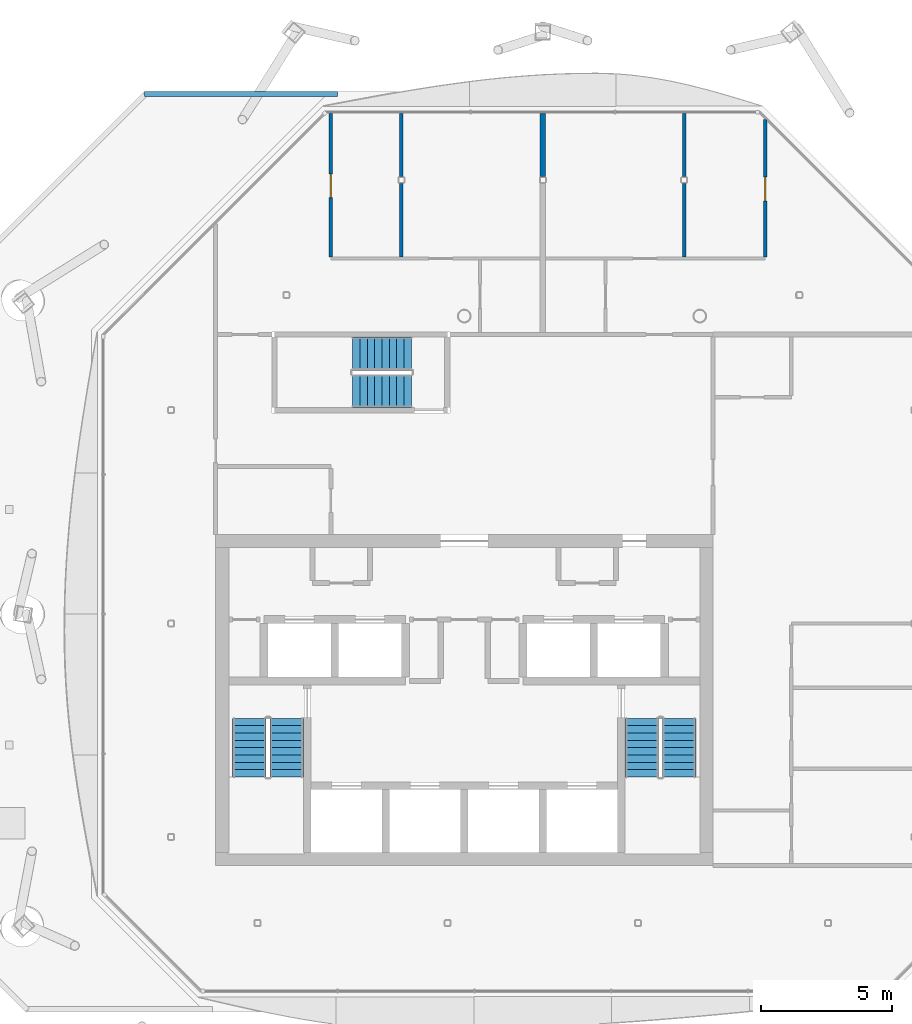
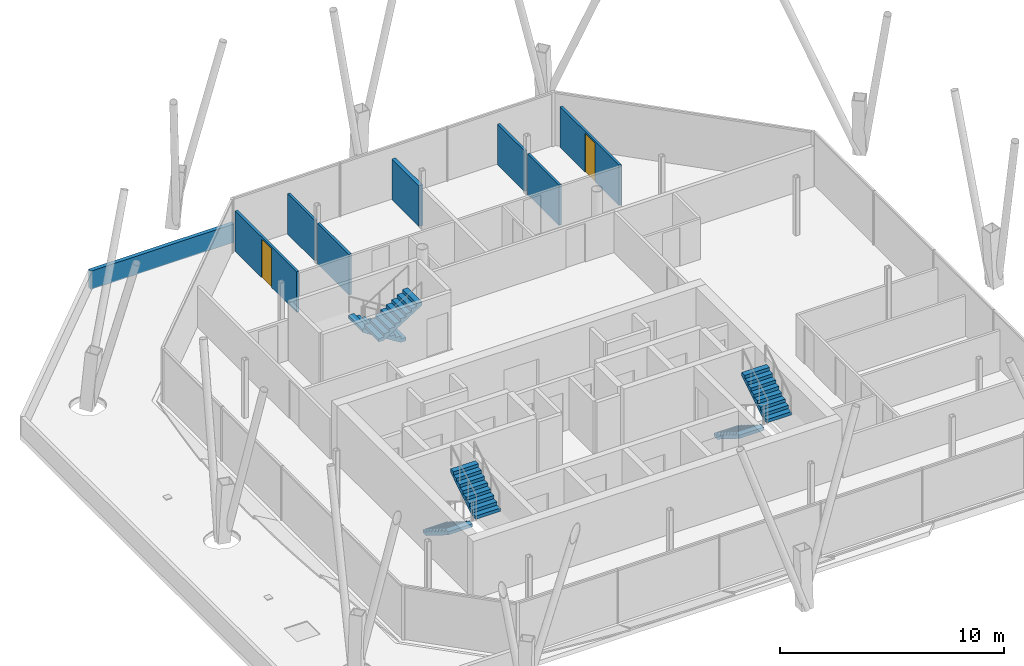
# One storey, part 12 of 17: 8 walls, 6 stair flights, 2 doors, 2 openings, 3 elements without a shape of their own.
"""IFC4 building model written with IfcOpenShell, lengths in metres."""

from ifc_helpers import new_model, si_unit, direction, frame, frame_2d, origin, place, context, subcontext, project, spatial, polyline, rectangle, outline, extrude, material, layer, layer_set, type_object, element, fill, aggregate, save


model = new_model("IFC4")

# Units and contexts
model_context = context("Model", 3, precision=1e-05, world=origin(), true_north=direction((0.0, 1.0)))
body_context = subcontext(model_context, "Body", "Model", "MODEL_VIEW")
ifc_project = project(units=[si_unit("LENGTHUNIT", "METRE"), si_unit("AREAUNIT", "SQUARE_METRE"), si_unit("VOLUMEUNIT", "CUBIC_METRE"), si_unit("PLANEANGLEUNIT", "RADIAN"), si_unit("MASSUNIT", "GRAM", prefix="KILO")], contexts=[model_context])

# Site, building, storey
site_placement = place(None, origin())
site = spatial("IfcSite", under=ifc_project, at=site_placement, CompositionType="ELEMENT")
building_placement = place(site_placement, origin())
building = spatial("IfcBuilding", under=site, at=building_placement, Name="Tskaro Facet Tower", CompositionType="ELEMENT")
storey_placement = place(building_placement, frame((0.0, 0.0, 259.5)))
storey = spatial("IfcBuildingStorey", under=building, at=storey_placement, Name="L68", CompositionType="ELEMENT", Elevation=259.5)

# Wall, opening, door
ifc_material_1 = material(Name="Gypsum board on steel studs", Category="steel")
ifc_layer_1 = layer(ifc_material_1, 0.125, Name="Gypsum board on steel studs")
ifc_layer_set_1 = layer_set([ifc_layer_1], Name="Gypsum board on steel studs")
wall_type_1 = type_object("IfcWallType", Name="PART", PredefinedType="PARTITIONING", material=ifc_layer_set_1)
wall_1_placement = place(storey_placement, frame((-5.10009765625, 16.742919921875, 0.0), z_axis=(0.0, 0.0, 1.0), x_axis=(0.0, -1.0, 0.0)))
wall_1 = element("IfcWall", 1, at=wall_1_placement, inside=storey, type_object=wall_type_1, Name="Partition W033", PredefinedType="PARTITIONING", context=body_context, shape_type="SweptSolid", body=[
    extrude(rectangle(XDim=5.48046875, YDim=0.125, at=frame_2d((2.740234375, 0.0))), origin(), (0.0, 0.0, 1.0), 2.2099609375),
])
opening_1_placement = place(wall_1_placement, frame((2.321533203125, 0.0, 0.0)))
opening_1 = element("IfcOpeningElement", 2, at=opening_1_placement, cuts=wall_1, Name="Opening T20-D24", PredefinedType="OPENING", context=body_context, shape_type="SweptSolid", body=[
    extrude(rectangle(XDim=0.89990234375, YDim=2.10009765625, at=frame_2d((0.449951171875, 1.050048828125))), frame((0.0, 0.072509765625, 0.0), z_axis=(0.0, -1.0, 0.0), x_axis=(1.0, 0.0, 0.0)), (0.0, 0.0, 1.0), 0.14501953125),
])
ifc_material_2 = material(Name="Timber", Category="wood")
door_type = type_object("IfcDoorType", Name="D-ROOM", OperationType="NOTDEFINED", PredefinedType="DOOR", material=ifc_material_2)
door_1_placement = place(opening_1_placement, origin())
door_1 = element("IfcDoor", 3, at=door_1_placement, inside=storey, type_object=door_type, Name="Door T20-D24", OperationType="SINGLE_SWING_RIGHT", OverallHeight=2.10009765625, OverallWidth=0.89990234375, PredefinedType="DOOR", context=body_context, shape_type="SweptSolid", body=[
    extrude(rectangle(XDim=0.89990234375, YDim=2.10009765625, at=frame_2d((0.449951171875, 1.050048828125))), frame((0.0, 0.02490234375, 0.0), z_axis=(0.0, -1.0, 0.0), x_axis=(1.0, 0.0, 0.0)), (0.0, 0.0, 1.0), 0.050048828125),
])
fill(opening_1, door_1)

# Walls
wall_2_placement = place(storey_placement, frame((-2.405029296875, 11.262451171875, 0.0), z_axis=(0.0, 0.0, 1.0), x_axis=(0.0, 1.0, 0.0)))
element("IfcWall", 4, at=wall_2_placement, inside=storey, type_object=wall_type_1, Name="Partition W037", PredefinedType="PARTITIONING", context=body_context, shape_type="SweptSolid", body=[
    extrude(rectangle(XDim=2.8125, YDim=0.125, at=frame_2d((1.40625, 0.0))), origin(), (0.0, 0.0, 1.0), 2.2099609375),
])
wall_3_placement = place(storey_placement, frame((-2.405029296875, 14.324951171875, 0.0), z_axis=(0.0, 0.0, 1.0), x_axis=(0.0, 1.0, 0.0)))
element("IfcWall", 5, at=wall_3_placement, inside=storey, type_object=wall_type_1, Name="Partition W038", PredefinedType="PARTITIONING", context=body_context, shape_type="SweptSolid", body=[
    extrude(rectangle(XDim=2.41796875, YDim=0.125, at=frame_2d((1.208984375, 0.0))), origin(), (0.0, 0.0, 1.0), 2.2099609375),
])
wall_4_placement = place(storey_placement, frame((8.405029296875, 11.262451171875, 0.0), z_axis=(0.0, 0.0, 1.0), x_axis=(0.0, 1.0, 0.0)))
element("IfcWall", 6, at=wall_4_placement, inside=storey, type_object=wall_type_1, Name="Partition W055", PredefinedType="PARTITIONING", context=body_context, shape_type="SweptSolid", body=[
    extrude(rectangle(XDim=2.8125, YDim=0.125, at=frame_2d((1.40625, 0.0))), origin(), (0.0, 0.0, 1.0), 2.2099609375),
])
wall_5_placement = place(storey_placement, frame((8.405029296875, 14.324951171875, 0.0), z_axis=(0.0, 0.0, 1.0), x_axis=(0.0, 1.0, 0.0)))
element("IfcWall", 7, at=wall_5_placement, inside=storey, type_object=wall_type_1, Name="Partition W056", PredefinedType="PARTITIONING", context=body_context, shape_type="SweptSolid", body=[
    extrude(rectangle(XDim=2.41796875, YDim=0.125, at=frame_2d((1.208984375, 0.0))), origin(), (0.0, 0.0, 1.0), 2.2099609375),
])

# Wall, opening, door
wall_6_placement = place(storey_placement, frame((11.5, 11.262451171875, 0.0), z_axis=(0.0, 0.0, 1.0), x_axis=(0.0, 1.0, 0.0)))
wall_6 = element("IfcWall", 8, at=wall_6_placement, inside=storey, type_object=wall_type_1, Name="Partition W058", PredefinedType="PARTITIONING", context=body_context, shape_type="SweptSolid", body=[
    extrude(rectangle(XDim=5.24755859375, YDim=0.125, at=frame_2d((2.623779296875, 0.0))), origin(), (0.0, 0.0, 1.0), 2.2099609375),
])
opening_2_placement = place(wall_6_placement, frame((2.142578125, 0.0, 0.0)))
opening_2 = element("IfcOpeningElement", 9, at=opening_2_placement, cuts=wall_6, Name="Opening T20-D23", PredefinedType="OPENING", context=body_context, shape_type="SweptSolid", body=[
    extrude(rectangle(XDim=0.89990234375, YDim=2.10009765625, at=frame_2d((0.449951171875, 1.050048828125))), frame((0.0, 0.072509765625, 0.0), z_axis=(0.0, -1.0, 0.0), x_axis=(1.0, 0.0, 0.0)), (0.0, 0.0, 1.0), 0.14501953125),
])
door_2_placement = place(opening_2_placement, origin())
door_2 = element("IfcDoor", 10, at=door_2_placement, inside=storey, type_object=door_type, Name="Door T20-D23", OperationType="SINGLE_SWING_LEFT", OverallHeight=2.10009765625, OverallWidth=0.89990234375, PredefinedType="DOOR", context=body_context, shape_type="SweptSolid", body=[
    extrude(rectangle(XDim=0.89990234375, YDim=2.10009765625, at=frame_2d((0.449951171875, 1.050048828125))), frame((0.0, 0.02490234375, 0.0), z_axis=(0.0, -1.0, 0.0), x_axis=(1.0, 0.0, 0.0)), (0.0, 0.0, 1.0), 0.050048828125),
])
fill(opening_2, door_2)

# Walls
ifc_layer_2 = layer(ifc_material_1, 0.199951171875, Name="Gypsum board on steel studs")
ifc_layer_set_2 = layer_set([ifc_layer_2], Name="Gypsum board on steel studs")
wall_type_2 = type_object("IfcWallType", Name="PART-DEMISING", PredefinedType="PARTITIONING", material=ifc_layer_set_2)
wall_7_placement = place(storey_placement, frame((3.0, 14.324951171875, 0.0), z_axis=(0.0, 0.0, 1.0), x_axis=(0.0, 1.0, 0.0)))
element("IfcWall", 11, at=wall_7_placement, inside=storey, type_object=wall_type_2, Name="Guest room wall W048", PredefinedType="PARTITIONING", context=body_context, shape_type="SweptSolid", body=[
    extrude(rectangle(XDim=2.41796875, YDim=0.199951171875, at=frame_2d((1.208984375, 0.0))), origin(), (0.0, 0.0, 1.0), 2.2099609375),
])
ifc_material_3 = material(Name="Precast concrete C40/50", Category="concrete")
ifc_layer_3 = layer(ifc_material_3, 0.199951171875, Name="Precast concrete C40/50")
ifc_layer_set_3 = layer_set([ifc_layer_3], Name="Precast concrete C40/50")
wall_type_3 = type_object("IfcWallType", Name="Roof parapet", PredefinedType="PARAPET", material=ifc_layer_set_3)
wall_8_placement = place(storey_placement, frame((-4.843017578125, 17.490966796875, 0.0), z_axis=(0.0, 0.0, 1.0), x_axis=(-1.0, 0.0, 0.0)))
element("IfcWall", 12, at=wall_8_placement, inside=storey, type_object=wall_type_3, Name="Roof parapet L68 1.1", PredefinedType="PARAPET", context=body_context, shape_type="SweptSolid", body=[
    extrude(rectangle(XDim=7.37890625, YDim=0.199951171875, at=frame_2d((3.689453125, 0.0))), origin(), (0.0, 0.0, 1.0), 1.0),
])

# Stair, stair flights
ifc_material_4 = material(Name="Concrete C40/50", Category="concrete")
stair_type = type_object("IfcStairType", Name="ST-TWR", PredefinedType="HALF_TURN_STAIR", material=ifc_material_4)
stair_1_placement = place(storey_placement, origin())
stair_1 = element("IfcStair", 13, at=stair_1_placement, inside=storey, type_object=stair_type, Name="L68 Exit stair 1", PredefinedType="HALF_TURN_STAIR")
stair_flight_type = type_object("IfcStairFlightType", Name="SFL-RC", PredefinedType="STRAIGHT", material=ifc_material_4)
stair_flight_1_placement = place(storey_placement, frame((-8.21240234375, -6.375, 0.0), z_axis=(0.0, 0.0, 1.0), x_axis=(0.0, -1.0, 0.0)))
stair_flight_1 = element("IfcStairFlight", 14, at=stair_flight_1_placement, type_object=stair_flight_type, Name="ST-1 flight 1", NumberOfRisers=9, NumberOfTreads=8, PredefinedType="STRAIGHT", RiserHeight=0.175, TreadLength=0.28, context=body_context, shape_type="SweptSolid", body=[
    extrude(outline(polyline([(0.0, 0.0), (0.0, 0.175048828125), (0.280029296875, 0.175048828125), (0.280029296875, 0.35009765625), (0.56005859375, 0.35009765625), (0.56005859375, 0.52490234375), (0.840087890625, 0.52490234375), (0.840087890625, 0.699951171875), (1.1201171875, 0.699951171875), (1.1201171875, 0.875), (1.39990234375, 0.875), (1.39990234375, 1.050048828125), (1.679931640625, 1.050048828125), (1.679931640625, 1.22509765625), (1.9599609375, 1.22509765625), (1.9599609375, 1.39990234375), (2.239990234375, 1.39990234375), (2.239990234375, 1.574951171875), (2.239990234375, 1.22314453125), (0.28271484375, 0.0), (0.0, 0.0)])), frame((0.0, 0.637451171875, 0.0), z_axis=(0.0, -1.0, 0.0), x_axis=(1.0, 0.0, 0.0)), (0.0, 0.0, 1.0), 1.27490234375),
])
stair_flight_2_placement = place(storey_placement, frame((-6.78759765625, -8.614990234375, 1.574951171875), z_axis=(0.0, 0.0, 1.0), x_axis=(0.0, 1.0, 0.0)))
stair_flight_2 = element("IfcStairFlight", 15, at=stair_flight_2_placement, type_object=stair_flight_type, Name="ST-1 flight 2", NumberOfRisers=9, NumberOfTreads=8, PredefinedType="STRAIGHT", RiserHeight=0.175, TreadLength=0.28, context=body_context, shape_type="SweptSolid", body=[
    extrude(outline(polyline([(0.0, 0.0), (0.0, 0.175048828125), (0.280029296875, 0.175048828125), (0.280029296875, 0.35009765625), (0.56005859375, 0.35009765625), (0.56005859375, 0.52490234375), (0.840087890625, 0.52490234375), (0.840087890625, 0.699951171875), (1.1201171875, 0.699951171875), (1.1201171875, 0.875), (1.39990234375, 0.875), (1.39990234375, 1.050048828125), (1.679931640625, 1.050048828125), (1.679931640625, 1.22509765625), (1.9599609375, 1.22509765625), (1.9599609375, 1.39990234375), (2.239990234375, 1.39990234375), (2.239990234375, 1.574951171875), (2.239990234375, 1.22314453125), (0.28271484375, 0.0), (0.0, 0.0)])), frame((0.0, 0.637451171875, 0.0), z_axis=(0.0, -1.0, 0.0), x_axis=(1.0, 0.0, 0.0)), (0.0, 0.0, 1.0), 1.27490234375),
])
aggregate(stair_1, [stair_flight_1, stair_flight_2])

stair_2_placement = place(storey_placement, origin())
stair_2 = element("IfcStair", 16, at=stair_2_placement, inside=storey, type_object=stair_type, Name="L68 Exit stair 2", PredefinedType="HALF_TURN_STAIR")
stair_flight_3_placement = place(storey_placement, frame((6.78759765625, -6.375, 0.0), z_axis=(0.0, 0.0, 1.0), x_axis=(0.0, -1.0, 0.0)))
stair_flight_3 = element("IfcStairFlight", 17, at=stair_flight_3_placement, type_object=stair_flight_type, Name="ST-2 flight 1", NumberOfRisers=9, NumberOfTreads=8, PredefinedType="STRAIGHT", RiserHeight=0.175, TreadLength=0.28, context=body_context, shape_type="SweptSolid", body=[
    extrude(outline(polyline([(0.0, 0.0), (0.0, 0.175048828125), (0.280029296875, 0.175048828125), (0.280029296875, 0.35009765625), (0.56005859375, 0.35009765625), (0.56005859375, 0.52490234375), (0.840087890625, 0.52490234375), (0.840087890625, 0.699951171875), (1.1201171875, 0.699951171875), (1.1201171875, 0.875), (1.39990234375, 0.875), (1.39990234375, 1.050048828125), (1.679931640625, 1.050048828125), (1.679931640625, 1.22509765625), (1.9599609375, 1.22509765625), (1.9599609375, 1.39990234375), (2.239990234375, 1.39990234375), (2.239990234375, 1.574951171875), (2.239990234375, 1.22314453125), (0.28271484375, 0.0), (0.0, 0.0)])), frame((0.0, 0.637451171875, 0.0), z_axis=(0.0, -1.0, 0.0), x_axis=(1.0, 0.0, 0.0)), (0.0, 0.0, 1.0), 1.27490234375),
])
stair_flight_4_placement = place(storey_placement, frame((8.21240234375, -8.614990234375, 1.574951171875), z_axis=(0.0, 0.0, 1.0), x_axis=(0.0, 1.0, 0.0)))
stair_flight_4 = element("IfcStairFlight", 18, at=stair_flight_4_placement, type_object=stair_flight_type, Name="ST-2 flight 2", NumberOfRisers=9, NumberOfTreads=8, PredefinedType="STRAIGHT", RiserHeight=0.175, TreadLength=0.28, context=body_context, shape_type="SweptSolid", body=[
    extrude(outline(polyline([(0.0, 0.0), (0.0, 0.175048828125), (0.280029296875, 0.175048828125), (0.280029296875, 0.35009765625), (0.56005859375, 0.35009765625), (0.56005859375, 0.52490234375), (0.840087890625, 0.52490234375), (0.840087890625, 0.699951171875), (1.1201171875, 0.699951171875), (1.1201171875, 0.875), (1.39990234375, 0.875), (1.39990234375, 1.050048828125), (1.679931640625, 1.050048828125), (1.679931640625, 1.22509765625), (1.9599609375, 1.22509765625), (1.9599609375, 1.39990234375), (2.239990234375, 1.39990234375), (2.239990234375, 1.574951171875), (2.239990234375, 1.22314453125), (0.28271484375, 0.0), (0.0, 0.0)])), frame((0.0, 0.637451171875, 0.0), z_axis=(0.0, -1.0, 0.0), x_axis=(1.0, 0.0, 0.0)), (0.0, 0.0, 1.0), 1.27490234375),
])
aggregate(stair_2, [stair_flight_3, stair_flight_4])

stair_3_placement = place(storey_placement, origin())
stair_3 = element("IfcStair", 19, at=stair_3_placement, inside=storey, type_object=stair_type, Name="L68 Exit stair 3", PredefinedType="HALF_TURN_STAIR")
stair_flight_5_placement = place(storey_placement, frame((-2.02490234375, 7.5625, 0.0), z_axis=(0.0, 0.0, 1.0), x_axis=(-1.0, 0.0, 0.0)))
stair_flight_5 = element("IfcStairFlight", 20, at=stair_flight_5_placement, type_object=stair_flight_type, Name="ST-3 flight 1", NumberOfRisers=9, NumberOfTreads=8, PredefinedType="STRAIGHT", RiserHeight=0.175, TreadLength=0.28, context=body_context, shape_type="SweptSolid", body=[
    extrude(outline(polyline([(0.0, 0.0), (0.0, 0.175048828125), (0.280029296875, 0.175048828125), (0.280029296875, 0.35009765625), (0.56005859375, 0.35009765625), (0.56005859375, 0.52490234375), (0.840087890625, 0.52490234375), (0.840087890625, 0.699951171875), (1.1201171875, 0.699951171875), (1.1201171875, 0.875), (1.39990234375, 0.875), (1.39990234375, 1.050048828125), (1.679931640625, 1.050048828125), (1.679931640625, 1.22509765625), (1.9599609375, 1.22509765625), (1.9599609375, 1.39990234375), (2.239990234375, 1.39990234375), (2.239990234375, 1.574951171875), (2.239990234375, 1.22314453125), (0.28271484375, 0.0), (0.0, 0.0)])), frame((0.0, 0.637451171875, 0.0), z_axis=(0.0, -1.0, 0.0), x_axis=(1.0, 0.0, 0.0)), (0.0, 0.0, 1.0), 1.27490234375),
])
stair_flight_6_placement = place(storey_placement, frame((-4.264892578125, 6.137451171875, 1.574951171875), z_axis=(0.0, 0.0, 1.0), x_axis=(1.0, 0.0, 0.0)))
stair_flight_6 = element("IfcStairFlight", 21, at=stair_flight_6_placement, type_object=stair_flight_type, Name="ST-3 flight 2", NumberOfRisers=9, NumberOfTreads=8, PredefinedType="STRAIGHT", RiserHeight=0.175, TreadLength=0.28, context=body_context, shape_type="SweptSolid", body=[
    extrude(outline(polyline([(0.0, 0.0), (0.0, 0.175048828125), (0.280029296875, 0.175048828125), (0.280029296875, 0.35009765625), (0.56005859375, 0.35009765625), (0.56005859375, 0.52490234375), (0.840087890625, 0.52490234375), (0.840087890625, 0.699951171875), (1.1201171875, 0.699951171875), (1.1201171875, 0.875), (1.39990234375, 0.875), (1.39990234375, 1.050048828125), (1.679931640625, 1.050048828125), (1.679931640625, 1.22509765625), (1.9599609375, 1.22509765625), (1.9599609375, 1.39990234375), (2.239990234375, 1.39990234375), (2.239990234375, 1.574951171875), (2.239990234375, 1.22314453125), (0.28271484375, 0.0), (0.0, 0.0)])), frame((0.0, 0.637451171875, 0.0), z_axis=(0.0, -1.0, 0.0), x_axis=(1.0, 0.0, 0.0)), (0.0, 0.0, 1.0), 1.27490234375),
])
aggregate(stair_3, [stair_flight_5, stair_flight_6])

save(model, "model.ifc")
